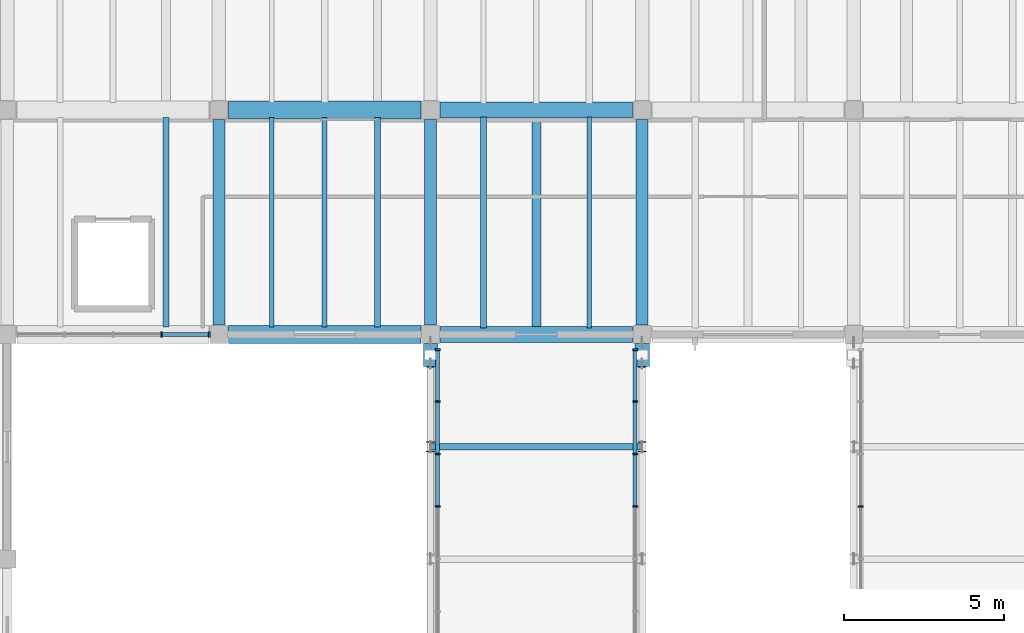
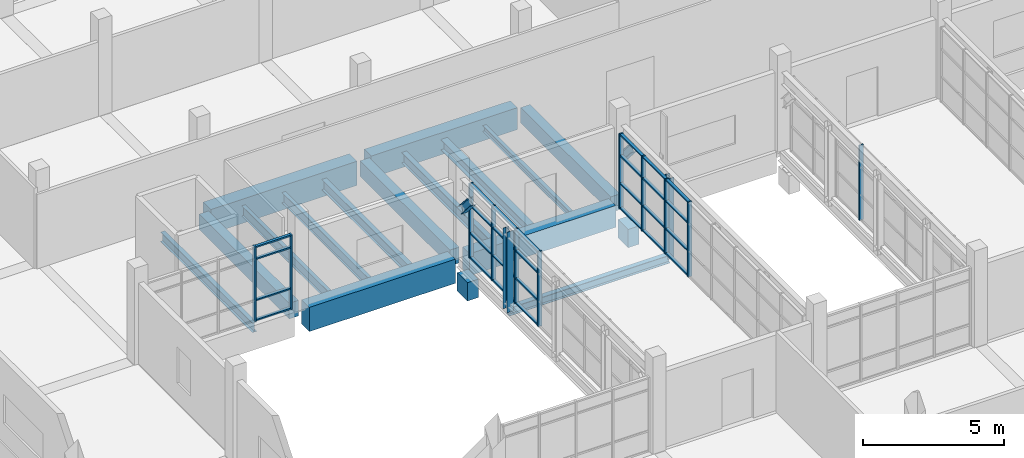
# One storey, part 27 of 67: 43 members, 17 beams, 4 elements without a shape of their own.
"""IFC4 building model written with IfcOpenShell, lengths in metres."""

from ifc_helpers import new_model, si_unit, direction, frame, origin, origin_2d, place, context, subcontext, project, spatial, rectangle, i_section, extrude, material, material_profile, profile_set, type_object, element, aggregate, save


model = new_model("IFC4")

# Units and contexts
model_context = context("Model", 3, precision=1e-05, world=origin(), true_north=direction((0.0, 1.0)))
body_context = subcontext(model_context, "Body", "Model", "MODEL_VIEW")
ifc_project = project(units=[si_unit("LENGTHUNIT", "METRE"), si_unit("AREAUNIT", "SQUARE_METRE"), si_unit("VOLUMEUNIT", "CUBIC_METRE"), si_unit("PLANEANGLEUNIT", "RADIAN"), si_unit("MASSUNIT", "GRAM", prefix="KILO")], contexts=[model_context])

# Site, building, storey
site_placement = place(None, origin())
site = spatial("IfcSite", under=ifc_project, at=site_placement, CompositionType="ELEMENT")
building_placement = place(site_placement, origin())
building = spatial("IfcBuilding", under=site, at=building_placement, Name="Ciguamira Faculty of Natural Sciences", CompositionType="ELEMENT")
storey_placement = place(building_placement, frame((0.0, 0.0, 8.39990234375)))
storey = spatial("IfcBuildingStorey", under=building, at=storey_placement, Name="L02", CompositionType="ELEMENT", Elevation=8.39990234375)

# Curtain wall, members
ifc_material_1 = material(Name="Anodized aluminium curtain wall", Category="aluminium")
curtain_wall_type_1 = type_object("IfcCurtainWallType", Name="CurtainWall_CW-07", PredefinedType="USERDEFINED", material=ifc_material_1)
curtain_wall_1_placement = place(storey_placement, origin())
curtain_wall_1 = element("IfcCurtainWall", 1, at=curtain_wall_1_placement, inside=storey, type_object=curtain_wall_type_1, Name="L02 unitised curtain wall 0067", ObjectType="UNITISED CURTAIN WALL", PredefinedType="USERDEFINED")
ifc_material_2 = material(Name="Anodized aluminium mullion", Category="aluminium")
ifc_material_profile_1 = material_profile(ifc_material_2, rectangle(XDim=0.06005859375, YDim=0.159912109375, at=origin_2d()), Name="ALU-MUL-60X160")
ifc_profile_set_1 = profile_set([ifc_material_profile_1], Name="Anodized aluminium mullion")
member_type_1 = type_object("IfcMemberType", Name="CWMullion_CWM-01", PredefinedType="MULLION", material=ifc_profile_set_1)
member_1_placement = place(storey_placement, frame((68.71240234375, 73.0, 0.0), z_axis=(0.0, 0.0, 1.0), x_axis=(1.0, 0.0, 0.0)))
member_1 = element("IfcMember", 2, at=member_1_placement, type_object=member_type_1, Name="CW-07 mullion 4", PredefinedType="MULLION", context=body_context, shape_type="SweptSolid", body=[
    extrude(rectangle(XDim=0.06005859375, YDim=0.159912109375, at=origin_2d()), origin(), (0.0, 0.0, 1.0), 3.235107421875),
])
member_2_placement = place(storey_placement, frame((70.195068359375, 73.0, 0.0), z_axis=(0.0, 0.0, 1.0), x_axis=(1.0, 0.0, 0.0)))
member_2 = element("IfcMember", 3, at=member_2_placement, type_object=member_type_1, Name="CW-07 mullion 5", PredefinedType="MULLION", context=body_context, shape_type="SweptSolid", body=[
    extrude(rectangle(XDim=0.06005859375, YDim=0.159912109375, at=origin_2d()), origin(), (0.0, 0.0, 1.0), 3.235107421875),
])

curtain_wall_type_2 = type_object("IfcCurtainWallType", Name="CurtainWall_CW-06", PredefinedType="USERDEFINED", material=ifc_material_1)
curtain_wall_2_placement = place(storey_placement, origin())
curtain_wall_2 = element("IfcCurtainWall", 4, at=curtain_wall_2_placement, inside=storey, type_object=curtain_wall_type_2, Name="Link bridge BR-1 glazed curtain wall W", ObjectType="UNITISED CURTAIN WALL", PredefinedType="USERDEFINED")
member_3_placement = place(storey_placement, frame((77.320068359375, 67.637451171875, 0.0), z_axis=(0.0, 0.0, 1.0), x_axis=(0.0, 1.0, 0.0)))
member_3 = element("IfcMember", 5, at=member_3_placement, type_object=member_type_1, Name="CW-06 mullion 6", PredefinedType="MULLION", context=body_context, shape_type="SweptSolid", body=[
    extrude(rectangle(XDim=0.06005859375, YDim=0.159912109375, at=origin_2d()), origin(), (0.0, 0.0, 1.0), 3.25),
])
member_4_placement = place(storey_placement, frame((77.320068359375, 69.27490234375, 0.0), z_axis=(0.0, 0.0, 1.0), x_axis=(0.0, 1.0, 0.0)))
member_4 = element("IfcMember", 6, at=member_4_placement, type_object=member_type_1, Name="CW-06 mullion 7", PredefinedType="MULLION", context=body_context, shape_type="SweptSolid", body=[
    extrude(rectangle(XDim=0.06005859375, YDim=0.159912109375, at=origin_2d()), origin(), (0.0, 0.0, 1.0), 3.25),
])
member_5_placement = place(storey_placement, frame((77.320068359375, 70.91259765625, 0.0), z_axis=(0.0, 0.0, 1.0), x_axis=(0.0, 1.0, 0.0)))
member_5 = element("IfcMember", 7, at=member_5_placement, type_object=member_type_1, Name="CW-06 mullion 8", PredefinedType="MULLION", context=body_context, shape_type="SweptSolid", body=[
    extrude(rectangle(XDim=0.06005859375, YDim=0.159912109375, at=origin_2d()), origin(), (0.0, 0.0, 1.0), 3.25),
])
member_6_placement = place(storey_placement, frame((77.320068359375, 72.52001953125, 0.0), z_axis=(0.0, 0.0, 1.0), x_axis=(0.0, 1.0, 0.0)))
member_6 = element("IfcMember", 8, at=member_6_placement, type_object=member_type_1, Name="CW-06 mullion 9", PredefinedType="MULLION", context=body_context, shape_type="SweptSolid", body=[
    extrude(rectangle(XDim=0.06005859375, YDim=0.159912109375, at=origin_2d()), origin(), (0.0, 0.0, 1.0), 3.25),
])

curtain_wall_3_placement = place(storey_placement, origin())
curtain_wall_3 = element("IfcCurtainWall", 9, at=curtain_wall_3_placement, inside=storey, type_object=curtain_wall_type_1, Name="Link bridge BR-1 glazed curtain wall E", ObjectType="UNITISED CURTAIN WALL", PredefinedType="USERDEFINED")
member_7_placement = place(storey_placement, frame((83.47998046875, 67.637451171875, 0.0), z_axis=(0.0, 0.0, 1.0), x_axis=(0.0, 1.0, 0.0)))
member_7 = element("IfcMember", 10, at=member_7_placement, type_object=member_type_1, Name="CW-07 mullion 6", PredefinedType="MULLION", context=body_context, shape_type="SweptSolid", body=[
    extrude(rectangle(XDim=0.06005859375, YDim=0.159912109375, at=origin_2d()), origin(), (0.0, 0.0, 1.0), 3.25),
])
member_8_placement = place(storey_placement, frame((83.47998046875, 69.27490234375, 0.0), z_axis=(0.0, 0.0, 1.0), x_axis=(0.0, 1.0, 0.0)))
member_8 = element("IfcMember", 11, at=member_8_placement, type_object=member_type_1, Name="CW-07 mullion 7", PredefinedType="MULLION", context=body_context, shape_type="SweptSolid", body=[
    extrude(rectangle(XDim=0.06005859375, YDim=0.159912109375, at=origin_2d()), origin(), (0.0, 0.0, 1.0), 3.25),
])
member_9_placement = place(storey_placement, frame((83.47998046875, 70.91259765625, 0.0), z_axis=(0.0, 0.0, 1.0), x_axis=(0.0, 1.0, 0.0)))
member_9 = element("IfcMember", 12, at=member_9_placement, type_object=member_type_1, Name="CW-07 mullion 8", PredefinedType="MULLION", context=body_context, shape_type="SweptSolid", body=[
    extrude(rectangle(XDim=0.06005859375, YDim=0.159912109375, at=origin_2d()), origin(), (0.0, 0.0, 1.0), 3.25),
])
member_10_placement = place(storey_placement, frame((83.47998046875, 72.52001953125, 0.0), z_axis=(0.0, 0.0, 1.0), x_axis=(0.0, 1.0, 0.0)))
member_10 = element("IfcMember", 13, at=member_10_placement, type_object=member_type_1, Name="CW-07 mullion 9", PredefinedType="MULLION", context=body_context, shape_type="SweptSolid", body=[
    extrude(rectangle(XDim=0.06005859375, YDim=0.159912109375, at=origin_2d()), origin(), (0.0, 0.0, 1.0), 3.25),
])

# Curtain wall, member
curtain_wall_type_3 = type_object("IfcCurtainWallType", Name="CurtainWall_CW-08", PredefinedType="USERDEFINED", material=ifc_material_1)
curtain_wall_4_placement = place(storey_placement, origin())
curtain_wall_4 = element("IfcCurtainWall", 14, at=curtain_wall_4_placement, inside=storey, type_object=curtain_wall_type_3, Name="Link bridge BR-2 glazed curtain wall W", ObjectType="UNITISED CURTAIN WALL", PredefinedType="USERDEFINED")
member_11_placement = place(storey_placement, frame((90.52001953125, 67.637451171875, 0.0), z_axis=(0.0, 0.0, 1.0), x_axis=(0.0, 1.0, 0.0)))
member_11 = element("IfcMember", 15, at=member_11_placement, type_object=member_type_1, Name="CW-08 mullion 6", PredefinedType="MULLION", context=body_context, shape_type="SweptSolid", body=[
    extrude(rectangle(XDim=0.06005859375, YDim=0.159912109375, at=origin_2d()), origin(), (0.0, 0.0, 1.0), 3.25),
])
aggregate(curtain_wall_4, [member_11])

# Member
ifc_material_3 = material(Name="Anodized aluminium transom", Category="aluminium")
ifc_material_profile_2 = material_profile(ifc_material_3, rectangle(XDim=0.06005859375, YDim=0.1201171875, at=origin_2d()), Name="ALU-TRN-60X120")
ifc_profile_set_2 = profile_set([ifc_material_profile_2], Name="Anodized aluminium transom")
member_type_2 = type_object("IfcMemberType", Name="CWTransom_CWT-01", PredefinedType="USERDEFINED", material=ifc_profile_set_2)
member_12_placement = place(storey_placement, frame((68.742431640625, 73.0, 0.030029296875), z_axis=(1.0, 0.0, 0.0), x_axis=(0.0, 0.0, 1.0)))
member_12 = element("IfcMember", 16, at=member_12_placement, type_object=member_type_2, Name="CW-07 transom 4.1", ObjectType="TRANSOM", PredefinedType="USERDEFINED", context=body_context, shape_type="SweptSolid", body=[
    extrude(rectangle(XDim=0.06005859375, YDim=0.1201171875, at=origin_2d()), origin(), (0.0, 0.0, 1.0), 1.422607421875),
])

member_13_placement = place(storey_placement, frame((68.742431640625, 73.0, 0.900146484375), z_axis=(1.0, 0.0, 0.0), x_axis=(0.0, 0.0, 1.0)))
member_13 = element("IfcMember", 17, at=member_13_placement, type_object=member_type_2, Name="CW-07 transom 4.2", ObjectType="TRANSOM", PredefinedType="USERDEFINED", context=body_context, shape_type="SweptSolid", body=[
    extrude(rectangle(XDim=0.06005859375, YDim=0.1201171875, at=origin_2d()), origin(), (0.0, 0.0, 1.0), 1.422607421875),
])

member_14_placement = place(storey_placement, frame((68.742431640625, 73.0, 2.68505859375), z_axis=(1.0, 0.0, 0.0), x_axis=(0.0, 0.0, 1.0)))
member_14 = element("IfcMember", 18, at=member_14_placement, type_object=member_type_2, Name="CW-07 transom 4.3", ObjectType="TRANSOM", PredefinedType="USERDEFINED", context=body_context, shape_type="SweptSolid", body=[
    extrude(rectangle(XDim=0.06005859375, YDim=0.1201171875, at=origin_2d()), origin(), (0.0, 0.0, 1.0), 1.422607421875),
])

member_15_placement = place(storey_placement, frame((68.742431640625, 73.0, 3.205078125), z_axis=(1.0, 0.0, 0.0), x_axis=(0.0, 0.0, 1.0)))
member_15 = element("IfcMember", 19, at=member_15_placement, type_object=member_type_2, Name="CW-07 transom 4.4", ObjectType="TRANSOM", PredefinedType="USERDEFINED", context=body_context, shape_type="SweptSolid", body=[
    extrude(rectangle(XDim=0.06005859375, YDim=0.1201171875, at=origin_2d()), origin(), (0.0, 0.0, 1.0), 1.422607421875),
])

aggregate(curtain_wall_1, [member_1, member_2, member_12, member_13, member_14, member_15])

member_16_placement = place(storey_placement, frame((77.320068359375, 67.66748046875, 0.030029296875), z_axis=(0.0, 1.0, 0.0), x_axis=(0.0, 0.0, 1.0)))
member_16 = element("IfcMember", 20, at=member_16_placement, type_object=member_type_2, Name="CW-06 transom 6.1", ObjectType="TRANSOM", PredefinedType="USERDEFINED", context=body_context, shape_type="SweptSolid", body=[
    extrude(rectangle(XDim=0.06005859375, YDim=0.1201171875, at=origin_2d()), origin(), (0.0, 0.0, 1.0), 1.57763671875),
])

member_17_placement = place(storey_placement, frame((77.320068359375, 67.66748046875, 1.10009765625), z_axis=(0.0, 1.0, 0.0), x_axis=(0.0, 0.0, 1.0)))
member_17 = element("IfcMember", 21, at=member_17_placement, type_object=member_type_2, Name="CW-06 transom 6.2", ObjectType="TRANSOM", PredefinedType="USERDEFINED", context=body_context, shape_type="SweptSolid", body=[
    extrude(rectangle(XDim=0.06005859375, YDim=0.1201171875, at=origin_2d()), origin(), (0.0, 0.0, 1.0), 1.57763671875),
])

member_18_placement = place(storey_placement, frame((77.320068359375, 67.66748046875, 2.300048828125), z_axis=(0.0, 1.0, 0.0), x_axis=(0.0, 0.0, 1.0)))
member_18 = element("IfcMember", 22, at=member_18_placement, type_object=member_type_2, Name="CW-06 transom 6.3", ObjectType="TRANSOM", PredefinedType="USERDEFINED", context=body_context, shape_type="SweptSolid", body=[
    extrude(rectangle(XDim=0.06005859375, YDim=0.1201171875, at=origin_2d()), origin(), (0.0, 0.0, 1.0), 1.57763671875),
])

member_19_placement = place(storey_placement, frame((77.320068359375, 67.66748046875, 3.22021484375), z_axis=(0.0, 1.0, 0.0), x_axis=(0.0, 0.0, 1.0)))
member_19 = element("IfcMember", 23, at=member_19_placement, type_object=member_type_2, Name="CW-06 transom 6.4", ObjectType="TRANSOM", PredefinedType="USERDEFINED", context=body_context, shape_type="SweptSolid", body=[
    extrude(rectangle(XDim=0.06005859375, YDim=0.1201171875, at=origin_2d()), origin(), (0.0, 0.0, 1.0), 1.57763671875),
])

member_20_placement = place(storey_placement, frame((77.320068359375, 69.304931640625, 0.030029296875), z_axis=(0.0, 1.0, 0.0), x_axis=(0.0, 0.0, 1.0)))
member_20 = element("IfcMember", 24, at=member_20_placement, type_object=member_type_2, Name="CW-06 transom 7.1", ObjectType="TRANSOM", PredefinedType="USERDEFINED", context=body_context, shape_type="SweptSolid", body=[
    extrude(rectangle(XDim=0.06005859375, YDim=0.1201171875, at=origin_2d()), origin(), (0.0, 0.0, 1.0), 1.57763671875),
])

member_21_placement = place(storey_placement, frame((77.320068359375, 69.304931640625, 1.10009765625), z_axis=(0.0, 1.0, 0.0), x_axis=(0.0, 0.0, 1.0)))
member_21 = element("IfcMember", 25, at=member_21_placement, type_object=member_type_2, Name="CW-06 transom 7.2", ObjectType="TRANSOM", PredefinedType="USERDEFINED", context=body_context, shape_type="SweptSolid", body=[
    extrude(rectangle(XDim=0.06005859375, YDim=0.1201171875, at=origin_2d()), origin(), (0.0, 0.0, 1.0), 1.57763671875),
])

member_22_placement = place(storey_placement, frame((77.320068359375, 69.304931640625, 2.300048828125), z_axis=(0.0, 1.0, 0.0), x_axis=(0.0, 0.0, 1.0)))
member_22 = element("IfcMember", 26, at=member_22_placement, type_object=member_type_2, Name="CW-06 transom 7.3", ObjectType="TRANSOM", PredefinedType="USERDEFINED", context=body_context, shape_type="SweptSolid", body=[
    extrude(rectangle(XDim=0.06005859375, YDim=0.1201171875, at=origin_2d()), origin(), (0.0, 0.0, 1.0), 1.57763671875),
])

member_23_placement = place(storey_placement, frame((77.320068359375, 69.304931640625, 3.22021484375), z_axis=(0.0, 1.0, 0.0), x_axis=(0.0, 0.0, 1.0)))
member_23 = element("IfcMember", 27, at=member_23_placement, type_object=member_type_2, Name="CW-06 transom 7.4", ObjectType="TRANSOM", PredefinedType="USERDEFINED", context=body_context, shape_type="SweptSolid", body=[
    extrude(rectangle(XDim=0.06005859375, YDim=0.1201171875, at=origin_2d()), origin(), (0.0, 0.0, 1.0), 1.57763671875),
])

member_24_placement = place(storey_placement, frame((77.320068359375, 70.9423828125, 0.030029296875), z_axis=(0.0, 1.0, 0.0), x_axis=(0.0, 0.0, 1.0)))
member_24 = element("IfcMember", 28, at=member_24_placement, type_object=member_type_2, Name="CW-06 transom 8.1", ObjectType="TRANSOM", PredefinedType="USERDEFINED", context=body_context, shape_type="SweptSolid", body=[
    extrude(rectangle(XDim=0.06005859375, YDim=0.1201171875, at=origin_2d()), origin(), (0.0, 0.0, 1.0), 1.547607421875),
])

member_25_placement = place(storey_placement, frame((77.320068359375, 70.9423828125, 1.10009765625), z_axis=(0.0, 1.0, 0.0), x_axis=(0.0, 0.0, 1.0)))
member_25 = element("IfcMember", 29, at=member_25_placement, type_object=member_type_2, Name="CW-06 transom 8.2", ObjectType="TRANSOM", PredefinedType="USERDEFINED", context=body_context, shape_type="SweptSolid", body=[
    extrude(rectangle(XDim=0.06005859375, YDim=0.1201171875, at=origin_2d()), origin(), (0.0, 0.0, 1.0), 1.547607421875),
])

member_26_placement = place(storey_placement, frame((77.320068359375, 70.9423828125, 2.300048828125), z_axis=(0.0, 1.0, 0.0), x_axis=(0.0, 0.0, 1.0)))
member_26 = element("IfcMember", 30, at=member_26_placement, type_object=member_type_2, Name="CW-06 transom 8.3", ObjectType="TRANSOM", PredefinedType="USERDEFINED", context=body_context, shape_type="SweptSolid", body=[
    extrude(rectangle(XDim=0.06005859375, YDim=0.1201171875, at=origin_2d()), origin(), (0.0, 0.0, 1.0), 1.547607421875),
])

member_27_placement = place(storey_placement, frame((77.320068359375, 70.9423828125, 3.22021484375), z_axis=(0.0, 1.0, 0.0), x_axis=(0.0, 0.0, 1.0)))
member_27 = element("IfcMember", 31, at=member_27_placement, type_object=member_type_2, Name="CW-06 transom 8.4", ObjectType="TRANSOM", PredefinedType="USERDEFINED", context=body_context, shape_type="SweptSolid", body=[
    extrude(rectangle(XDim=0.06005859375, YDim=0.1201171875, at=origin_2d()), origin(), (0.0, 0.0, 1.0), 1.547607421875),
])

aggregate(curtain_wall_2, [member_3, member_4, member_5, member_6, member_16, member_17, member_18, member_19, member_20, member_21, member_22, member_23, member_24, member_25, member_26, member_27])

member_28_placement = place(storey_placement, frame((83.47998046875, 67.66748046875, 0.030029296875), z_axis=(0.0, 1.0, 0.0), x_axis=(0.0, 0.0, 1.0)))
member_28 = element("IfcMember", 32, at=member_28_placement, type_object=member_type_2, Name="CW-07 transom 6.1", ObjectType="TRANSOM", PredefinedType="USERDEFINED", context=body_context, shape_type="SweptSolid", body=[
    extrude(rectangle(XDim=0.06005859375, YDim=0.1201171875, at=origin_2d()), origin(), (0.0, 0.0, 1.0), 1.57763671875),
])

member_29_placement = place(storey_placement, frame((83.47998046875, 67.66748046875, 1.10009765625), z_axis=(0.0, 1.0, 0.0), x_axis=(0.0, 0.0, 1.0)))
member_29 = element("IfcMember", 33, at=member_29_placement, type_object=member_type_2, Name="CW-07 transom 6.2", ObjectType="TRANSOM", PredefinedType="USERDEFINED", context=body_context, shape_type="SweptSolid", body=[
    extrude(rectangle(XDim=0.06005859375, YDim=0.1201171875, at=origin_2d()), origin(), (0.0, 0.0, 1.0), 1.57763671875),
])

member_30_placement = place(storey_placement, frame((83.47998046875, 67.66748046875, 2.300048828125), z_axis=(0.0, 1.0, 0.0), x_axis=(0.0, 0.0, 1.0)))
member_30 = element("IfcMember", 34, at=member_30_placement, type_object=member_type_2, Name="CW-07 transom 6.3", ObjectType="TRANSOM", PredefinedType="USERDEFINED", context=body_context, shape_type="SweptSolid", body=[
    extrude(rectangle(XDim=0.06005859375, YDim=0.1201171875, at=origin_2d()), origin(), (0.0, 0.0, 1.0), 1.57763671875),
])

member_31_placement = place(storey_placement, frame((83.47998046875, 67.66748046875, 3.22021484375), z_axis=(0.0, 1.0, 0.0), x_axis=(0.0, 0.0, 1.0)))
member_31 = element("IfcMember", 35, at=member_31_placement, type_object=member_type_2, Name="CW-07 transom 6.4", ObjectType="TRANSOM", PredefinedType="USERDEFINED", context=body_context, shape_type="SweptSolid", body=[
    extrude(rectangle(XDim=0.06005859375, YDim=0.1201171875, at=origin_2d()), origin(), (0.0, 0.0, 1.0), 1.57763671875),
])

member_32_placement = place(storey_placement, frame((83.47998046875, 69.304931640625, 0.030029296875), z_axis=(0.0, 1.0, 0.0), x_axis=(0.0, 0.0, 1.0)))
member_32 = element("IfcMember", 36, at=member_32_placement, type_object=member_type_2, Name="CW-07 transom 7.1", ObjectType="TRANSOM", PredefinedType="USERDEFINED", context=body_context, shape_type="SweptSolid", body=[
    extrude(rectangle(XDim=0.06005859375, YDim=0.1201171875, at=origin_2d()), origin(), (0.0, 0.0, 1.0), 1.57763671875),
])

member_33_placement = place(storey_placement, frame((83.47998046875, 69.304931640625, 1.10009765625), z_axis=(0.0, 1.0, 0.0), x_axis=(0.0, 0.0, 1.0)))
member_33 = element("IfcMember", 37, at=member_33_placement, type_object=member_type_2, Name="CW-07 transom 7.2", ObjectType="TRANSOM", PredefinedType="USERDEFINED", context=body_context, shape_type="SweptSolid", body=[
    extrude(rectangle(XDim=0.06005859375, YDim=0.1201171875, at=origin_2d()), origin(), (0.0, 0.0, 1.0), 1.57763671875),
])

member_34_placement = place(storey_placement, frame((83.47998046875, 69.304931640625, 2.300048828125), z_axis=(0.0, 1.0, 0.0), x_axis=(0.0, 0.0, 1.0)))
member_34 = element("IfcMember", 38, at=member_34_placement, type_object=member_type_2, Name="CW-07 transom 7.3", ObjectType="TRANSOM", PredefinedType="USERDEFINED", context=body_context, shape_type="SweptSolid", body=[
    extrude(rectangle(XDim=0.06005859375, YDim=0.1201171875, at=origin_2d()), origin(), (0.0, 0.0, 1.0), 1.57763671875),
])

member_35_placement = place(storey_placement, frame((83.47998046875, 69.304931640625, 3.22021484375), z_axis=(0.0, 1.0, 0.0), x_axis=(0.0, 0.0, 1.0)))
member_35 = element("IfcMember", 39, at=member_35_placement, type_object=member_type_2, Name="CW-07 transom 7.4", ObjectType="TRANSOM", PredefinedType="USERDEFINED", context=body_context, shape_type="SweptSolid", body=[
    extrude(rectangle(XDim=0.06005859375, YDim=0.1201171875, at=origin_2d()), origin(), (0.0, 0.0, 1.0), 1.57763671875),
])

member_36_placement = place(storey_placement, frame((83.47998046875, 70.9423828125, 0.030029296875), z_axis=(0.0, 1.0, 0.0), x_axis=(0.0, 0.0, 1.0)))
member_36 = element("IfcMember", 40, at=member_36_placement, type_object=member_type_2, Name="CW-07 transom 8.1", ObjectType="TRANSOM", PredefinedType="USERDEFINED", context=body_context, shape_type="SweptSolid", body=[
    extrude(rectangle(XDim=0.06005859375, YDim=0.1201171875, at=origin_2d()), origin(), (0.0, 0.0, 1.0), 1.547607421875),
])

member_37_placement = place(storey_placement, frame((83.47998046875, 70.9423828125, 1.10009765625), z_axis=(0.0, 1.0, 0.0), x_axis=(0.0, 0.0, 1.0)))
member_37 = element("IfcMember", 41, at=member_37_placement, type_object=member_type_2, Name="CW-07 transom 8.2", ObjectType="TRANSOM", PredefinedType="USERDEFINED", context=body_context, shape_type="SweptSolid", body=[
    extrude(rectangle(XDim=0.06005859375, YDim=0.1201171875, at=origin_2d()), origin(), (0.0, 0.0, 1.0), 1.547607421875),
])

member_38_placement = place(storey_placement, frame((83.47998046875, 70.9423828125, 2.300048828125), z_axis=(0.0, 1.0, 0.0), x_axis=(0.0, 0.0, 1.0)))
member_38 = element("IfcMember", 42, at=member_38_placement, type_object=member_type_2, Name="CW-07 transom 8.3", ObjectType="TRANSOM", PredefinedType="USERDEFINED", context=body_context, shape_type="SweptSolid", body=[
    extrude(rectangle(XDim=0.06005859375, YDim=0.1201171875, at=origin_2d()), origin(), (0.0, 0.0, 1.0), 1.547607421875),
])

member_39_placement = place(storey_placement, frame((83.47998046875, 70.9423828125, 3.22021484375), z_axis=(0.0, 1.0, 0.0), x_axis=(0.0, 0.0, 1.0)))
member_39 = element("IfcMember", 43, at=member_39_placement, type_object=member_type_2, Name="CW-07 transom 8.4", ObjectType="TRANSOM", PredefinedType="USERDEFINED", context=body_context, shape_type="SweptSolid", body=[
    extrude(rectangle(XDim=0.06005859375, YDim=0.1201171875, at=origin_2d()), origin(), (0.0, 0.0, 1.0), 1.547607421875),
])

aggregate(curtain_wall_3, [member_7, member_8, member_9, member_10, member_28, member_29, member_30, member_31, member_32, member_33, member_34, member_35, member_36, member_37, member_38, member_39])

# Beams
ifc_material_4 = material(Name="Concrete C40/50", Category="concrete")
ifc_material_profile_3 = material_profile(ifc_material_4, rectangle(XDim=0.550048828125, YDim=1.050048828125, at=origin_2d()), Name="RC-BM-550X1050")
ifc_profile_set_3 = profile_set([ifc_material_profile_3], Name="Concrete C40/50")
beam_type_1 = type_object("IfcBeamType", Name="RCBeam_BG-01_RC-BM-550X1050", PredefinedType="BEAM", material=ifc_profile_set_3)
for number, where, z_axis, x_axis, name in (
    (44, (70.800048828125, 73.0, -0.52490234375), (1.0, 0.0, 0.0), (0.0, 1.0, 0.0), "L02 RC girder EW-0814"),
    (45, (70.800048828125, 80.0, -0.52490234375), (1.0, 0.0, 0.0), (0.0, 1.0, 0.0), "L02 RC girder EW-0823"),
):
    element("IfcBeam", number, at=place(storey_placement, frame(where, z_axis=z_axis, x_axis=x_axis)), inside=storey, type_object=beam_type_1, Name=name, PredefinedType="BEAM", context=body_context, shape_type="SweptSolid", body=[
        extrude(rectangle(XDim=0.550048828125, YDim=1.050048828125, at=origin_2d()), origin(), (0.0, 0.0, 1.0), 6.0),
    ])
ifc_material_profile_4 = material_profile(ifc_material_4, rectangle(XDim=0.5, YDim=0.949951171875, at=origin_2d()), Name="RC-BM-500X950")
ifc_profile_set_4 = profile_set([ifc_material_profile_4], Name="Concrete C40/50")
beam_type_2 = type_object("IfcBeamType", Name="RCBeam_BG-02_RC-BM-500X950", PredefinedType="BEAM", material=ifc_profile_set_4)
for number, where, z_axis, x_axis, name in (
    (46, (77.39990234375, 73.0, -0.474853515625), (1.0, 0.0, 0.0), (0.0, 1.0, 0.0), "L02 RC girder EW-0815"),
    (47, (77.39990234375, 80.0, -0.474853515625), (1.0, 0.0, 0.0), (0.0, 1.0, 0.0), "L02 RC girder EW-0824"),
):
    element("IfcBeam", number, at=place(storey_placement, frame(where, z_axis=z_axis, x_axis=x_axis)), inside=storey, type_object=beam_type_2, Name=name, PredefinedType="BEAM", context=body_context, shape_type="SweptSolid", body=[
        extrude(rectangle(XDim=0.5, YDim=0.949951171875, at=origin_2d()), origin(), (0.0, 0.0, 1.0), 6.0),
    ])
ifc_material_profile_5 = material_profile(ifc_material_4, rectangle(XDim=0.449951171875, YDim=0.800048828125, at=origin_2d()), Name="RC-BM-450X800")
ifc_profile_set_5 = profile_set([ifc_material_profile_5], Name="Concrete C40/50")
beam_type_3 = type_object("IfcBeamType", Name="RCBeam_BG-05_RC-BM-450X800", PredefinedType="BEAM", material=ifc_profile_set_5)
for number, where, z_axis, x_axis, name in (
    (48, (77.10009765625, 72.0048828125, -1.015625), (0.0, 1.0, 0.0), (-1.0, 0.0, 0.0), "Link bridge BR-1 sliding north RC corbel seat 1"),
    (49, (83.699951171875, 72.0048828125, -1.015625), (0.0, 1.0, 0.0), (-1.0, 0.0, 0.0), "Link bridge BR-1 sliding north RC corbel seat 2"),
):
    element("IfcBeam", number, at=place(storey_placement, frame(where, z_axis=z_axis, x_axis=x_axis)), inside=storey, type_object=beam_type_3, Name=name, PredefinedType="BEAM", context=body_context, shape_type="SweptSolid", body=[
        extrude(rectangle(XDim=0.449951171875, YDim=0.800048828125, at=origin_2d()), origin(), (0.0, 0.0, 1.0), 0.72021484375),
    ])
ifc_material_profile_6 = material_profile(ifc_material_4, rectangle(XDim=0.3798828125, YDim=0.679931640625, at=origin_2d()), Name="RC-BM-380X680")
ifc_profile_set_6 = profile_set([ifc_material_profile_6], Name="Concrete C40/50")
beam_type_4 = type_object("IfcBeamType", Name="RCBeam_BG-09_RC-BM-380X680", PredefinedType="BEAM", material=ifc_profile_set_6)
for number, where, z_axis, x_axis, name in (
    (50, (70.5, 73.300048828125, -0.33984375), (0.0, 1.0, 0.0), (-1.0, 0.0, 0.0), "L02 girder NS-0928"),
    (51, (77.10009765625, 73.300048828125, -0.33984375), (0.0, 1.0, 0.0), (-1.0, 0.0, 0.0), "L02 girder NS-0938"),
    (52, (83.699951171875, 73.300048828125, -0.33984375), (0.0, 1.0, 0.0), (-1.0, 0.0, 0.0), "L02 girder NS-0948"),
):
    element("IfcBeam", number, at=place(storey_placement, frame(where, z_axis=z_axis, x_axis=x_axis)), inside=storey, type_object=beam_type_4, Name=name, PredefinedType="BEAM", context=body_context, shape_type="SweptSolid", body=[
        extrude(rectangle(XDim=0.3798828125, YDim=0.679931640625, at=origin_2d()), origin(), (0.0, 0.0, 1.0), 6.39990234375),
    ])
ifc_material_5 = material(Name="Steel ASTM A992 Grade 50", Category="steel")
ifc_material_profile_7 = material_profile(ifc_material_5, i_section(OverallWidth=0.14599609375, OverallDepth=0.259033203125, WebThickness=0.006103515625, FlangeThickness=0.009033203125, at=origin_2d()), Name="W10X22")
ifc_profile_set_7 = profile_set([ifc_material_profile_7], Name="Steel ASTM A992 Grade 50")
beam_type_5 = type_object("IfcBeamType", Name="SteelJoist_SJ-01_W10X22", PredefinedType="JOIST", material=ifc_profile_set_7)
beam_1_placement = place(storey_placement, frame((82.050048828125, 73.2099609375, -0.409423828125), z_axis=(0.0, 1.0, 0.0), x_axis=(-1.0, 0.0, 0.0)))
element("IfcBeam", 53, at=beam_1_placement, inside=storey, type_object=beam_type_5, Name="L02 composite steel joist 00804", PredefinedType="JOIST", context=body_context, shape_type="SweptSolid", body=[
    extrude(i_section(OverallWidth=0.14599609375, OverallDepth=0.259033203125, WebThickness=0.006103515625, FlangeThickness=0.009033203125, at=origin_2d()), origin(), (0.0, 0.0, 1.0), 6.580078125),
])
ifc_material_profile_8 = material_profile(ifc_material_5, i_section(OverallWidth=0.203125, OverallDepth=0.347900390625, WebThickness=0.0078125, FlangeThickness=0.013427734375, at=origin_2d()), Name="W14X43")
ifc_profile_set_8 = profile_set([ifc_material_profile_8], Name="Steel ASTM A992 Grade 50")
beam_type_6 = type_object("IfcBeamType", Name="SteelJoist_SJ-12_W14X43", PredefinedType="JOIST", material=ifc_profile_set_8)
beam_2_placement = place(storey_placement, frame((77.10009765625, 69.5, -0.393798828125), z_axis=(1.0, 0.0, 0.0), x_axis=(0.0, 1.0, 0.0)))
element("IfcBeam", 54, at=beam_2_placement, inside=storey, type_object=beam_type_6, Name="Link bridge BR-1 floor crossbeam 3", PredefinedType="JOIST", context=body_context, shape_type="SweptSolid", body=[
    extrude(i_section(OverallWidth=0.203125, OverallDepth=0.347900390625, WebThickness=0.0078125, FlangeThickness=0.013427734375, at=origin_2d()), origin(), (0.0, 0.0, 1.0), 6.599853515625),
])
ifc_material_profile_9 = material_profile(ifc_material_5, i_section(OverallWidth=0.180908203125, OverallDepth=0.41650390625, WebThickness=0.010986328125, FlangeThickness=0.01806640625, at=origin_2d()), Name="W16X57")
ifc_profile_set_9 = profile_set([ifc_material_profile_9], Name="Steel ASTM A992 Grade 50")
beam_type_7 = type_object("IfcBeamType", Name="SteelJoist_SJ-20_W16X57", PredefinedType="JOIST", material=ifc_profile_set_9)
beam_3_placement = place(storey_placement, frame((68.85009765625, 73.235107421875, -0.48828125), z_axis=(0.0, 1.0, 0.0), x_axis=(-1.0, 0.0, 0.0)))
element("IfcBeam", 55, at=beam_3_placement, inside=storey, type_object=beam_type_7, Name="L02 composite steel joist 00752", PredefinedType="JOIST", context=body_context, shape_type="SweptSolid", body=[
    extrude(i_section(OverallWidth=0.180908203125, OverallDepth=0.41650390625, WebThickness=0.010986328125, FlangeThickness=0.01806640625, at=origin_2d()), origin(), (0.0, 0.0, 1.0), 6.52978515625),
])
ifc_material_profile_10 = material_profile(ifc_material_5, i_section(OverallWidth=0.15234375, OverallDepth=0.449462890625, WebThickness=0.007568359375, FlangeThickness=0.0107421875, at=origin_2d()), Name="W18X35")
ifc_profile_set_10 = profile_set([ifc_material_profile_10], Name="Steel ASTM A992 Grade 50")
beam_type_8 = type_object("IfcBeamType", Name="SteelJoist_SJ-21_W18X35", PredefinedType="JOIST", material=ifc_profile_set_10)
beam_4_placement = place(storey_placement, frame((72.14990234375, 73.235107421875, -0.504638671875), z_axis=(0.0, 1.0, 0.0), x_axis=(-1.0, 0.0, 0.0)))
element("IfcBeam", 56, at=beam_4_placement, inside=storey, type_object=beam_type_8, Name="L02 composite steel joist 00777", PredefinedType="JOIST", context=body_context, shape_type="SweptSolid", body=[
    extrude(i_section(OverallWidth=0.15234375, OverallDepth=0.449462890625, WebThickness=0.007568359375, FlangeThickness=0.0107421875, at=origin_2d()), origin(), (0.0, 0.0, 1.0), 6.52978515625),
])
ifc_material_profile_11 = material_profile(ifc_material_5, i_section(OverallWidth=0.15283203125, OverallDepth=0.45458984375, WebThickness=0.008056640625, FlangeThickness=0.013427734375, at=origin_2d()), Name="W18X40")
ifc_profile_set_11 = profile_set([ifc_material_profile_11], Name="Steel ASTM A992 Grade 50")
beam_type_9 = type_object("IfcBeamType", Name="SteelJoist_SJ-22_W18X40", PredefinedType="JOIST", material=ifc_profile_set_11)
beam_5_placement = place(storey_placement, frame((73.800048828125, 73.235107421875, -0.50732421875), z_axis=(0.0, 1.0, 0.0), x_axis=(-1.0, 0.0, 0.0)))
element("IfcBeam", 57, at=beam_5_placement, inside=storey, type_object=beam_type_9, Name="L02 composite steel joist 00778", PredefinedType="JOIST", context=body_context, shape_type="SweptSolid", body=[
    extrude(i_section(OverallWidth=0.15283203125, OverallDepth=0.45458984375, WebThickness=0.008056640625, FlangeThickness=0.013427734375, at=origin_2d()), origin(), (0.0, 0.0, 1.0), 6.52978515625),
])
ifc_material_profile_12 = material_profile(ifc_material_5, i_section(OverallWidth=0.1904296875, OverallDepth=0.457275390625, WebThickness=0.009033203125, FlangeThickness=0.014404296875, at=origin_2d()), Name="W18X50")
ifc_profile_set_12 = profile_set([ifc_material_profile_12], Name="Steel ASTM A992 Grade 50")
beam_type_10 = type_object("IfcBeamType", Name="SteelJoist_SJ-23_W18X50", PredefinedType="JOIST", material=ifc_profile_set_12)
beam_6_placement = place(storey_placement, frame((75.449951171875, 73.235107421875, -0.508544921875), z_axis=(0.0, 1.0, 0.0), x_axis=(-1.0, 0.0, 0.0)))
element("IfcBeam", 58, at=beam_6_placement, inside=storey, type_object=beam_type_10, Name="L02 composite steel joist 00779", PredefinedType="JOIST", context=body_context, shape_type="SweptSolid", body=[
    extrude(i_section(OverallWidth=0.1904296875, OverallDepth=0.457275390625, WebThickness=0.009033203125, FlangeThickness=0.014404296875, at=origin_2d()), origin(), (0.0, 0.0, 1.0), 6.52978515625),
])
ifc_material_profile_13 = material_profile(ifc_material_5, i_section(OverallWidth=0.19287109375, OverallDepth=0.46728515625, WebThickness=0.011474609375, FlangeThickness=0.01904296875, at=origin_2d()), Name="W18X65")
ifc_profile_set_13 = profile_set([ifc_material_profile_13], Name="Steel ASTM A992 Grade 50")
beam_type_11 = type_object("IfcBeamType", Name="SteelJoist_SJ-24_W18X65", PredefinedType="JOIST", material=ifc_profile_set_13)
beam_7_placement = place(storey_placement, frame((78.75, 73.2099609375, -0.513671875), z_axis=(0.0, 1.0, 0.0), x_axis=(-1.0, 0.0, 0.0)))
element("IfcBeam", 59, at=beam_7_placement, inside=storey, type_object=beam_type_11, Name="L02 composite steel joist 00802", PredefinedType="JOIST", context=body_context, shape_type="SweptSolid", body=[
    extrude(i_section(OverallWidth=0.19287109375, OverallDepth=0.46728515625, WebThickness=0.011474609375, FlangeThickness=0.01904296875, at=origin_2d()), origin(), (0.0, 0.0, 1.0), 6.580078125),
])
ifc_material_profile_14 = material_profile(ifc_material_5, i_section(OverallWidth=0.279296875, OverallDepth=0.462158203125, WebThickness=0.0107421875, FlangeThickness=0.017333984375, at=origin_2d()), Name="W18X76")
ifc_profile_set_14 = profile_set([ifc_material_profile_14], Name="Steel ASTM A992 Grade 50")
beam_type_12 = type_object("IfcBeamType", Name="SteelJoist_SJ-25_W18X76", PredefinedType="JOIST", material=ifc_profile_set_14)
beam_8_placement = place(storey_placement, frame((80.39990234375, 73.2099609375, -0.510986328125), z_axis=(0.0, 1.0, 0.0), x_axis=(-1.0, 0.0, 0.0)))
element("IfcBeam", 60, at=beam_8_placement, inside=storey, type_object=beam_type_12, Name="L02 composite steel joist 00803", PredefinedType="JOIST", context=body_context, shape_type="SweptSolid", body=[
    extrude(i_section(OverallWidth=0.279296875, OverallDepth=0.462158203125, WebThickness=0.0107421875, FlangeThickness=0.017333984375, at=origin_2d()), origin(), (0.0, 0.0, 1.0), 6.580078125),
])

# Members
ifc_material_profile_15 = material_profile(ifc_material_5, i_section(OverallWidth=0.25390625, OverallDepth=0.307373046875, WebThickness=0.0087890625, FlangeThickness=0.0146484375, at=origin_2d()), Name="W12X53")
ifc_profile_set_15 = profile_set([ifc_material_profile_15], Name="Steel ASTM A992 Grade 50")
member_type_3 = type_object("IfcMemberType", Name="SteelMember_TS-02_W12X53", PredefinedType="STRUT", material=ifc_profile_set_15)
for number, where, z_axis, x_axis, name in (
    (61, (77.10009765625, 69.5, -0.349853515625), (0.0, 0.0, 1.0), (1.0, 0.0, 0.0), "Link bridge BR-1 truss vertical 1-4"),
    (62, (83.699951171875, 69.5, -0.349853515625), (0.0, 0.0, 1.0), (1.0, 0.0, 0.0), "Link bridge BR-1 truss vertical 2-4"),
):
    element("IfcMember", number, at=place(storey_placement, frame(where, z_axis=z_axis, x_axis=x_axis)), inside=storey, type_object=member_type_3, Name=name, PredefinedType="STRUT", context=body_context, shape_type="SweptSolid", body=[
        extrude(i_section(OverallWidth=0.25390625, OverallDepth=0.307373046875, WebThickness=0.0087890625, FlangeThickness=0.0146484375, at=origin_2d()), origin(), (0.0, 0.0, 1.0), 3.5),
    ])
for number, where, z_axis, x_axis, name in (
    (63, (77.10009765625, 72.75, 2.034423828125), (0.0, -0.660578310858, 0.750757147967), (1.0, 0.0, 0.0), "Link bridge BR-3 n corbel knee strut 1"),
    (64, (83.699951171875, 72.75, 2.034423828125), (0.0, -0.660578310858, 0.750757147967), (1.0, 0.0, 0.0), "Link bridge BR-3 n corbel knee strut 2"),
):
    element("IfcMember", number, at=place(storey_placement, frame(where, z_axis=z_axis, x_axis=x_axis)), inside=storey, type_object=member_type_3, Name=name, PredefinedType="STRUT", context=body_context, shape_type="SweptSolid", body=[
        extrude(i_section(OverallWidth=0.25390625, OverallDepth=0.307373046875, WebThickness=0.0087890625, FlangeThickness=0.0146484375, at=origin_2d()), origin(), (0.0, 0.0, 1.0), 0.9990234375),
    ])

save(model, "model.ifc")
